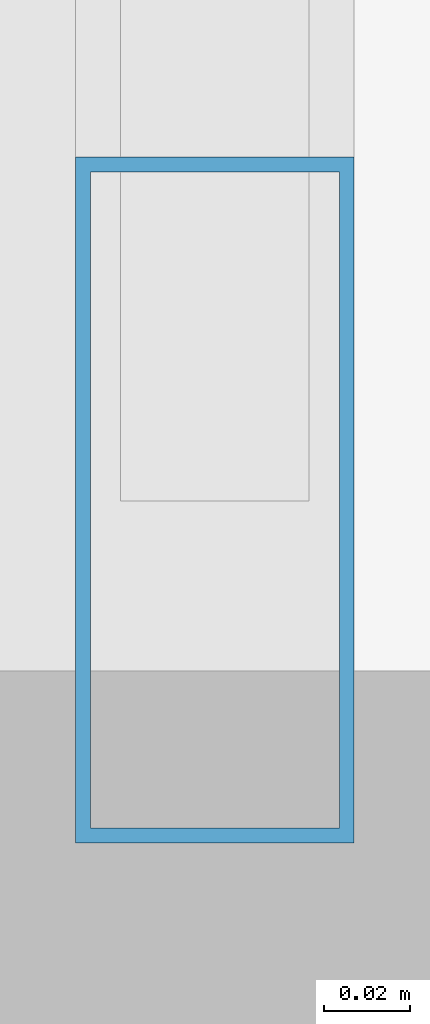
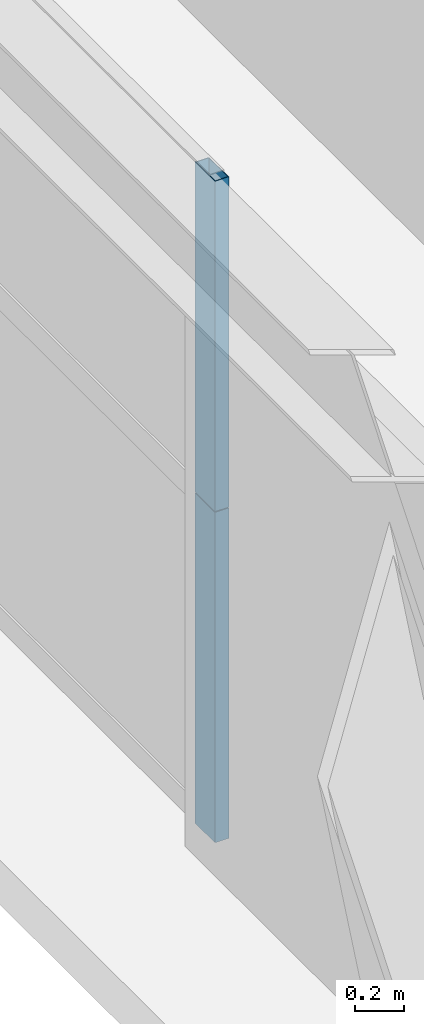
# One storey, part 6 of 35: 2 members, 1 element without a shape of its own.
"""IFC4 building model written with IfcOpenShell, lengths in metres."""

from ifc_helpers import new_model, si_unit, direction, frame, origin, origin_2d, place, context, subcontext, project, spatial, hollow_rectangle, extrude, source, transform, mapped, material, layer, layer_set, material_profile, profile_set, type_object, element, aggregate, save


model = new_model("IFC4")

# Units and contexts
model_context = context("Model", 3, precision=1e-05, world=origin(), true_north=direction((0.0, 1.0)))
body_context = subcontext(model_context, "Body", "Model", "MODEL_VIEW")
ifc_project = project(units=[si_unit("LENGTHUNIT", "METRE"), si_unit("AREAUNIT", "SQUARE_METRE"), si_unit("VOLUMEUNIT", "CUBIC_METRE"), si_unit("PLANEANGLEUNIT", "RADIAN"), si_unit("MASSUNIT", "GRAM", prefix="KILO"), si_unit("THERMODYNAMICTEMPERATUREUNIT", "KELVIN"), si_unit("POWERUNIT", "WATT")], contexts=[model_context])

# Site, building, storey
site_placement = place(None, origin())
site = spatial("IfcSite", under=ifc_project, at=site_placement, CompositionType="ELEMENT")
building_placement = place(site_placement, origin())
building = spatial("IfcBuilding", under=site, at=building_placement, Name="Yuzanri Waterfront Tower", CompositionType="ELEMENT")
storey_placement = place(building_placement, frame((0.0, 0.0, 227.60009765625)))
storey = spatial("IfcBuildingStorey", under=building, at=storey_placement, Name="L60", CompositionType="ELEMENT", Elevation=227.60009765625)

# Curtain wall, members
ifc_material_1 = material(Name="Anodized Architectural Bronze", Category="metal")
ifc_layer = layer(ifc_material_1, 0.159912109375)
ifc_layer_set = layer_set([ifc_layer], Name="Anodized Architectural Bronze")
curtain_wall_type = type_object("IfcCurtainWallType", Name="Anodized Bronze Mid-Rise Residential Acoustic Unitized Curtain Wall 7200", PredefinedType="NOTDEFINED", material=ifc_layer_set)
curtain_wall_placement = place(storey_placement, origin())
curtain_wall = element("IfcCurtainWall", 1, at=curtain_wall_placement, inside=storey, type_object=curtain_wall_type, Name="L60 Curtain Wall CW-L60-WL", PredefinedType="NOTDEFINED")
ifc_material_2 = material(Name="Anodized Architectural Bronze", Category="metal")
ifc_material_profile = material_profile(ifc_material_2, hollow_rectangle(XDim=0.06494140625, YDim=0.159912109375, WallThickness=0.00341796875, at=origin_2d()), Name="CWM 65x160")
ifc_profile_set = profile_set([ifc_material_profile], Name="Anodized Architectural Bronze")
member_type = type_object("IfcMemberType", Name="Anodized Bronze Upper-Zone Curtain-Wall Mullion 65x160", PredefinedType="MULLION", material=ifc_profile_set)
shared_shape = source(origin(), body_context, "Body", "SweptSolid", [
    extrude(hollow_rectangle(XDim=0.06494140625, YDim=0.159912109375, WallThickness=0.00341796875, at=origin_2d()), origin(), (0.0, 0.0, 1.0), 1.637939453125),
])
member_1_placement = place(storey_placement, frame((16.550048828125, 12.590087890625, 0.0), z_axis=(0.0, 0.0, 1.0), x_axis=(1.0, 0.0, 0.0)))
member_1 = element("IfcMember", 2, at=member_1_placement, type_object=member_type, Name="CW-L60-WL Lower Mullion 00", PredefinedType="MULLION", context=body_context, shape_type="MappedRepresentation", body=[
    mapped(shared_shape, transform((0.0, 0.0, 0.0), scale=1.0)),
])
member_2_placement = place(storey_placement, frame((16.550048828125, 12.590087890625, 1.641845703125), z_axis=(0.0, 0.0, 1.0), x_axis=(1.0, 0.0, 0.0)))
member_2 = element("IfcMember", 3, at=member_2_placement, type_object=member_type, Name="CW-L60-WL Upper Mullion 00", PredefinedType="MULLION", context=body_context, shape_type="MappedRepresentation", body=[
    mapped(shared_shape, transform((0.0, 0.0, 0.0), scale=1.0)),
])
aggregate(curtain_wall, [member_1, member_2])

save(model, "model.ifc")
